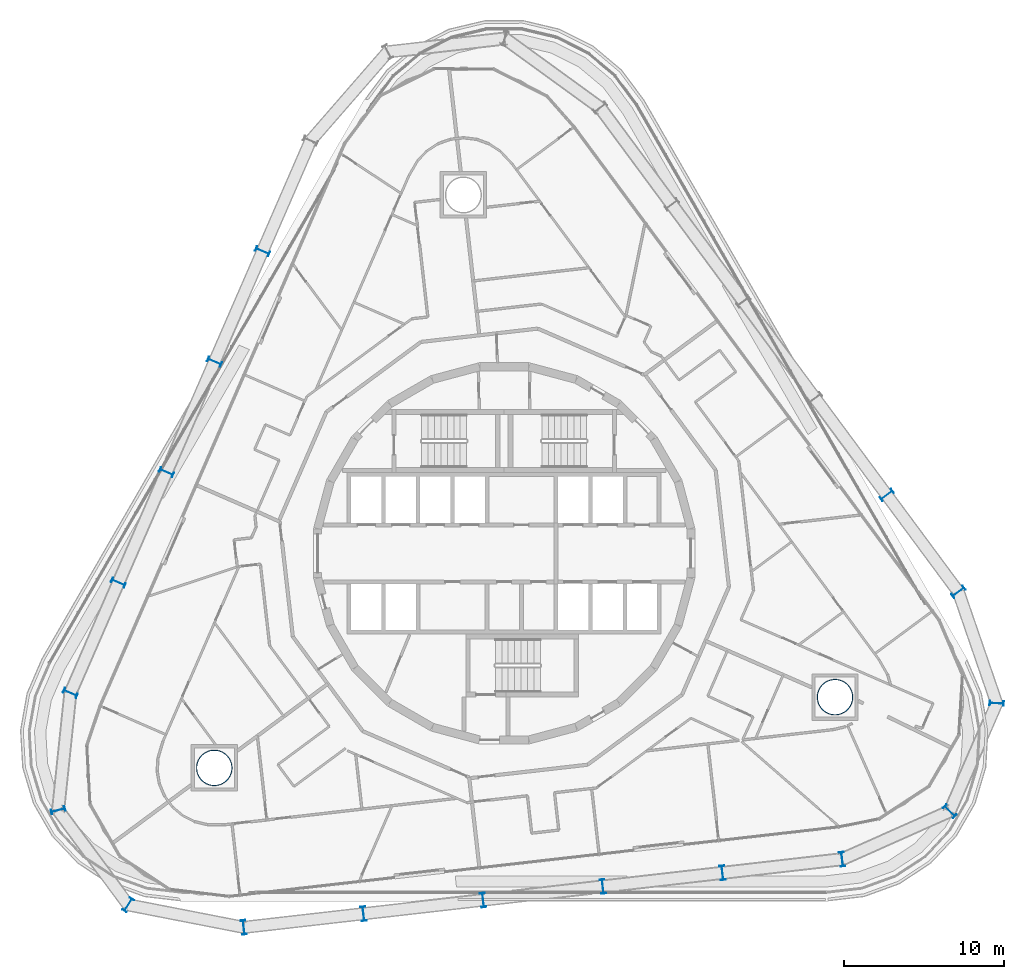
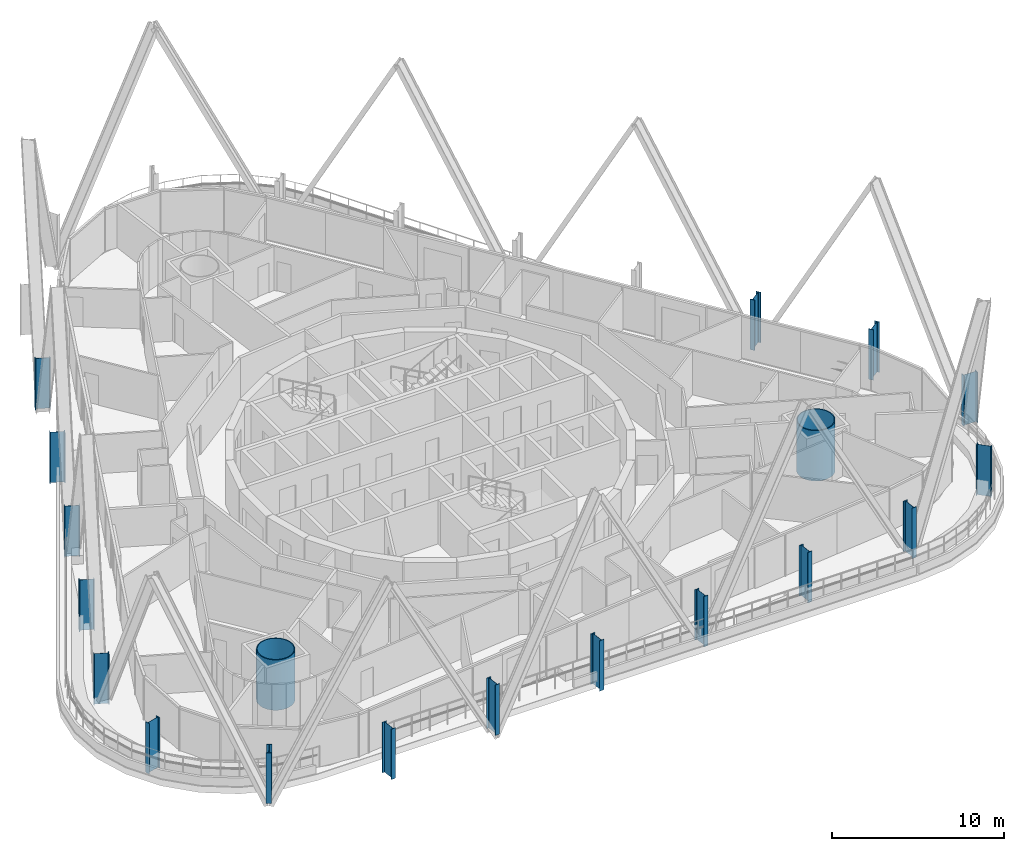
# One storey, part 1 of 32: 19 columns.
"""IFC4 building model written with IfcOpenShell, lengths in metres."""

from ifc_helpers import new_model, si_unit, direction, frame, origin, origin_2d, place, context, subcontext, project, spatial, hollow_circle, i_section, extrude, material, material_profile, profile_set, type_object, element, save


model = new_model("IFC4")

# Units and contexts
model_context = context("Model", 3, precision=1e-05, world=origin(), true_north=direction((0.0, 1.0)))
body_context = subcontext(model_context, "Body", "Model", "MODEL_VIEW")
ifc_project = project(units=[si_unit("LENGTHUNIT", "METRE"), si_unit("AREAUNIT", "SQUARE_METRE"), si_unit("VOLUMEUNIT", "CUBIC_METRE"), si_unit("PLANEANGLEUNIT", "RADIAN"), si_unit("MASSUNIT", "GRAM", prefix="KILO")], contexts=[model_context])

# Site, building, storey
site_placement = place(None, origin())
site = spatial("IfcSite", under=ifc_project, at=site_placement, CompositionType="ELEMENT")
building_placement = place(site_placement, origin())
building = spatial("IfcBuilding", under=site, at=building_placement, Name="Spindle Arch Residences", CompositionType="ELEMENT")
storey_placement = place(building_placement, frame((0.0, 0.0, 76.699951171875)))
storey = spatial("IfcBuildingStorey", under=building, at=storey_placement, Name="L17", CompositionType="ELEMENT", Elevation=76.699951171875)

# Columns
ifc_material_1 = material(Name="Steel S460ML, intumescent coating R 240", Category="steel")
ifc_material_profile_1 = material_profile(ifc_material_1, i_section(OverallWidth=0.300048828125, OverallDepth=0.89990234375, WebThickness=0.0185546875, FlangeThickness=0.034912109375, FilletRadius=0.030029296875, at=origin_2d()), Name="HEB 900")
ifc_profile_set_1 = profile_set([ifc_material_profile_1], Name="Steel S460ML, intumescent coating R 240")
column_type_1 = type_object("IfcColumnType", Name="Exoskeleton post HEB 900", PredefinedType="COLUMN", material=ifc_profile_set_1)
for number, where, z_axis, x_axis, name in (
    (1, (6.153076171875, -20.794677734375, -0.449951171875), (0.0, 0.0, 1.0), (-0.993571881569, -0.113202986513, 0.0), "Exoskeleton post 1"),
    (2, (13.62353515625, -19.943603515625, -0.449951171875), (0.0, 0.0, 1.0), (-0.993571881569, -0.113202986513, 0.0), "Exoskeleton post 2"),
    (3, (21.093994140625, -19.09228515625, -0.449951171875), (0.0, 0.0, 1.0), (-0.993571881569, -0.113202986513, 0.0), "Exoskeleton post 3"),
    (4, (27.81103515625, -16.097900390625, -0.449951171875), (0.0, 0.0, 1.0), (-0.704963041271, -0.709244041527, 0.0), "Exoskeleton post 4"),
    (5, (30.740478515625, -9.36083984375, -0.449951171875), (0.0, 0.0, 1.0), (-0.037923985838, -0.9992806269, 0.0), "Exoskeleton post 5"),
    (6, (28.349365234375, -2.40625, -0.449951171875), (0.0, 0.0, 1.0), (0.594822857897, -0.803856807972, 0.0), "Exoskeleton post 6"),
    (7, (23.876953125, 3.637939453125, -0.449951171875), (0.0, 0.0, 1.0), (0.594822857897, -0.803856807972, 0.0), "Exoskeleton post 7"),
    (8, (-15.0888671875, 18.859130859375, -0.449951171875), (0.0, 0.0, 1.0), (0.398749038162, 0.917060087761, 0.0), "Exoskeleton post 15"),
    (9, (-18.087158203125, 11.9638671875, -0.449951171875), (0.0, 0.0, 1.0), (0.398749038162, 0.917060087761, 0.0), "Exoskeleton post 16"),
    (10, (-21.085205078125, 5.068603515625, -0.449951171875), (0.0, 0.0, 1.0), (0.398749038162, 0.917060087761, 0.0), "Exoskeleton post 17"),
    (11, (-24.083251953125, -1.826416015625, -0.449951171875), (0.0, 0.0, 1.0), (0.398749038162, 0.917060087761, 0.0), "Exoskeleton post 18"),
    (12, (-27.081298828125, -8.7216796875, -0.449951171875), (0.0, 0.0, 1.0), (0.398749038162, 0.917060087761, 0.0), "Exoskeleton post 19"),
    (13, (-27.8466796875, -16.035888671875, -0.449951171875), (0.0, 0.0, 1.0), (-0.261741969429, 0.965137887268, 0.0), "Exoskeleton post 20"),
    (14, (-23.47705078125, -21.94140625, -0.449951171875), (0.0, 0.0, 1.0), (-0.846440049151, 0.532484030928, 0.0), "Exoskeleton post 21"),
    (15, (-16.258544921875, -23.34814453125, -0.449951171875), (0.0, 0.0, 1.0), (-0.993571881569, -0.113202986513, 0.0), "Exoskeleton post 22"),
    (16, (-8.7880859375, -22.4970703125, -0.449951171875), (0.0, 0.0, 1.0), (-0.993571881569, -0.113202986513, 0.0), "Exoskeleton post 23"),
    (17, (-1.3173828125, -21.645751953125, -0.449951171875), (0.0, 0.0, 1.0), (-0.993571881569, -0.113202986513, 0.0), "Exoskeleton post 24"),
):
    element("IfcColumn", number, at=place(storey_placement, frame(where, z_axis=z_axis, x_axis=x_axis)), inside=storey, type_object=column_type_1, Name=name, PredefinedType="COLUMN", context=body_context, shape_type="SweptSolid", body=[
        extrude(i_section(OverallWidth=0.300048828125, OverallDepth=0.89990234375, WebThickness=0.0185546875, FlangeThickness=0.034912109375, FilletRadius=0.030029296875, at=origin_2d()), origin(), (0.0, 0.0, 1.0), 3.570068359375),
    ])
ifc_material_2 = material(Name="Concrete C50/60 filled steel tube S460ML, intumescent coating R 240", Category="concrete")
ifc_material_profile_2 = material_profile(ifc_material_2, hollow_circle(Radius=1.125, WallThickness=0.054931640625, at=origin_2d()), Name="CFT D2250x55")
ifc_profile_set_2 = profile_set([ifc_material_profile_2], Name="Concrete C50/60 filled steel tube S460ML, intumescent coating R 240")
column_type_2 = type_object("IfcColumnType", Name="Mega-column CFT D2250x55", PredefinedType="COLUMN", material=ifc_profile_set_2)
for number, where, z_axis, x_axis, name in (
    (18, (20.647705078125, -8.977783203125, -0.449951171875), (0.0, 0.0, 1.0), (1.0, 0.0, 0.0), "Mega-column 1"),
    (19, (-18.098876953125, -13.392578125, -0.449951171875), (0.0, 0.0, 1.0), (1.0, 0.0, 0.0), "Mega-column 3"),
):
    element("IfcColumn", number, at=place(storey_placement, frame(where, z_axis=z_axis, x_axis=x_axis)), inside=storey, type_object=column_type_2, Name=name, PredefinedType="COLUMN", context=body_context, shape_type="SweptSolid", body=[
        extrude(hollow_circle(Radius=1.125, WallThickness=0.054931640625, at=origin_2d()), origin(), (0.0, 0.0, 1.0), 3.570068359375),
    ])

save(model, "model.ifc")
